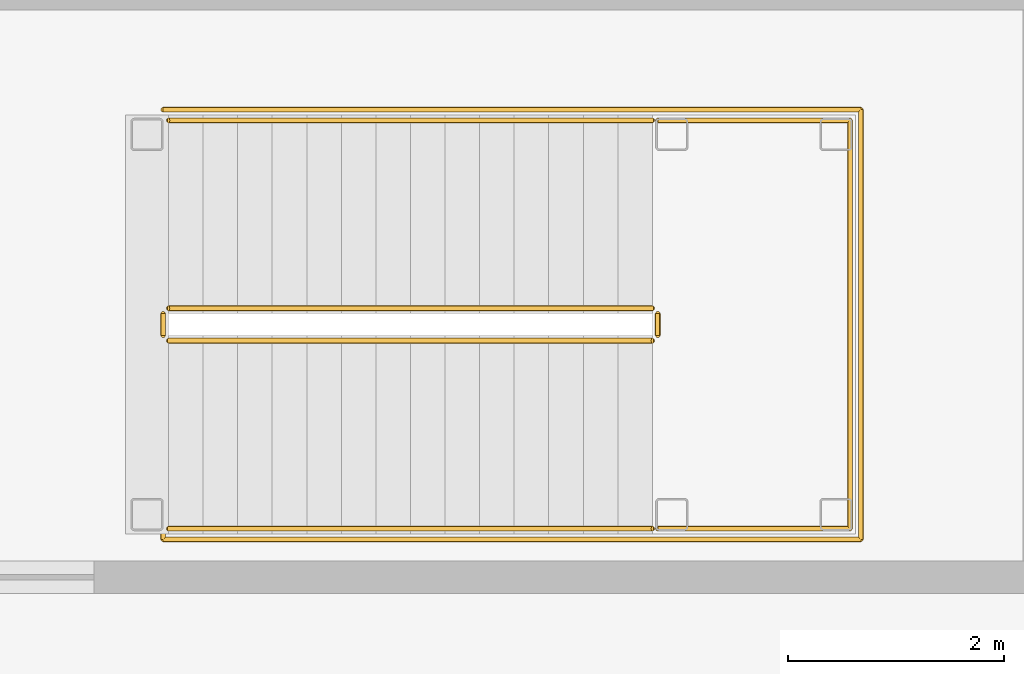
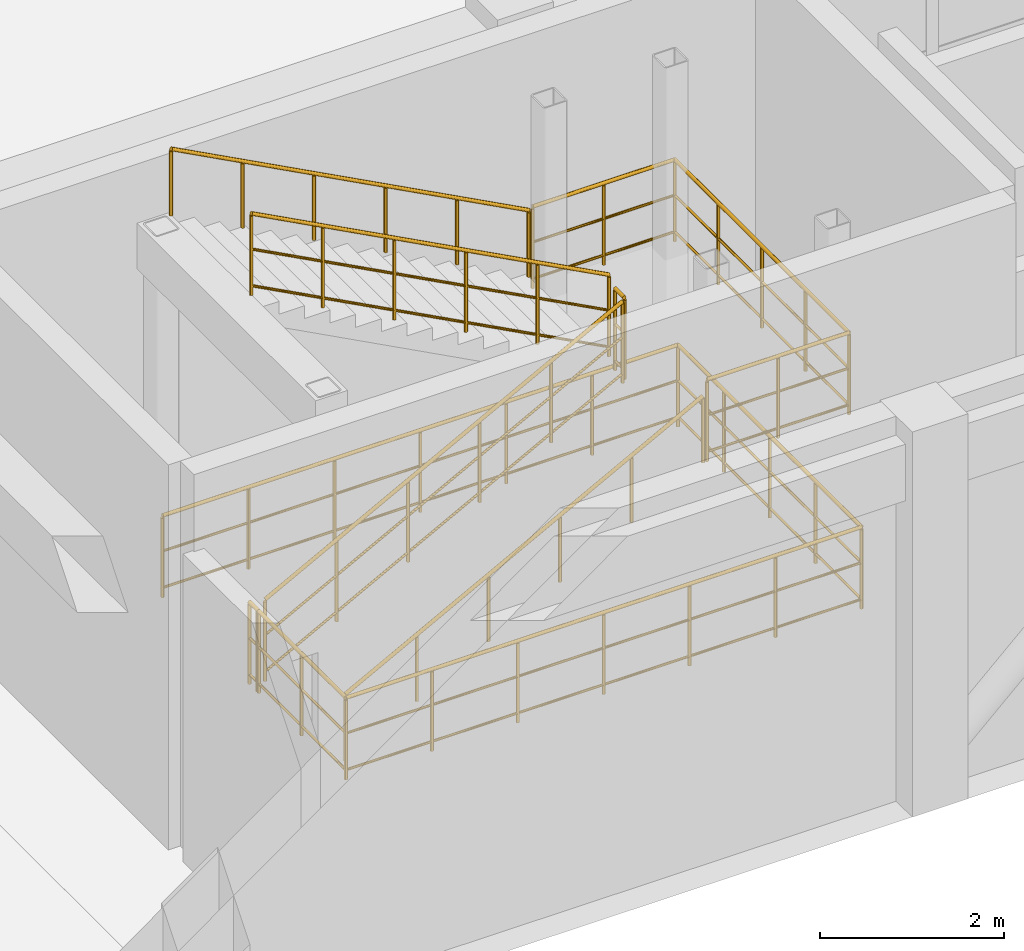
# One storey, part 119 of 128: 8 railings.
"""IFC4 building model written with IfcOpenShell, lengths in metres."""

from ifc_helpers import new_model, si_unit, direction, frame, origin, origin_2d, place, context, subcontext, project, spatial, circle, extrude, material, type_object, element, save


model = new_model("IFC4")

# Units and contexts
model_context = context("Model", 3, precision=1e-05, world=origin(), true_north=direction((0.0, 1.0)))
body_context = subcontext(model_context, "Body", "Model", "MODEL_VIEW")
ifc_project = project(units=[si_unit("LENGTHUNIT", "METRE"), si_unit("AREAUNIT", "SQUARE_METRE"), si_unit("VOLUMEUNIT", "CUBIC_METRE"), si_unit("PLANEANGLEUNIT", "RADIAN"), si_unit("MASSUNIT", "GRAM", prefix="KILO")], contexts=[model_context])

# Site, building, storey
site_placement = place(None, origin())
site = spatial("IfcSite", under=ifc_project, at=site_placement, CompositionType="ELEMENT")
building_placement = place(site_placement, origin())
building = spatial("IfcBuilding", under=site, at=building_placement, Name="Miravela Opera House", CompositionType="ELEMENT")
storey_placement = place(building_placement, origin())
storey = spatial("IfcBuildingStorey", under=building, at=storey_placement, Name="L00", CompositionType="ELEMENT", Elevation=0.0)

# Railings
ifc_material_1 = material(Name="Brushed bronze continuous stair handrail")
railing_type_1 = type_object("IfcRailingType", Name="ARC-RAIL-HAND-900", PredefinedType="HANDRAIL", material=ifc_material_1)
railing_1_placement = place(storey_placement, frame((120.739990234375, 3.449951171875, 0.169921875)))
element("IfcRailing", 1, at=railing_1_placement, inside=storey, type_object=railing_type_1, Name="L00 ST-10 stair handrail 1", PredefinedType="HANDRAIL", context=body_context, shape_type="SweptSolid", body=[
    extrude(circle(Radius=0.02392578125, at=origin_2d()), frame((0.0, 0.0, 0.8759765625), z_axis=(0.883104503341, 0.0, 0.469176338042), x_axis=(0.0, 1.0, 0.0)), (0.0, 0.0, 1.0), 5.072998046875),
    extrude(circle(Radius=0.02099609375, at=origin_2d()), origin(), (0.0, 0.0, 1.0), 0.851806640625),
    extrude(circle(Radius=0.02099609375, at=origin_2d()), frame((0.89599609375, 0.0, 0.47607421875)), (0.0, 0.0, 1.0), 0.851806640625),
    extrude(circle(Radius=0.02099609375, at=origin_2d()), frame((1.7919921875, 0.0, 0.9521484375)), (0.0, 0.0, 1.0), 0.851806640625),
    extrude(circle(Radius=0.02099609375, at=origin_2d()), frame((2.68798828125, 0.0, 1.427978515625)), (0.0, 0.0, 1.0), 0.851806640625),
    extrude(circle(Radius=0.02099609375, at=origin_2d()), frame((3.583984375, 0.0, 1.904052734375)), (0.0, 0.0, 1.0), 0.851806640625),
    extrude(circle(Radius=0.02099609375, at=origin_2d()), frame((4.47998046875, 0.0, 2.380126953125)), (0.0, 0.0, 1.0), 0.851806640625),
])
railing_2_placement = place(storey_placement, frame((125.219970703125, 7.22998046875, 2.719970703125)))
element("IfcRailing", 2, at=railing_2_placement, inside=storey, type_object=railing_type_1, Name="L00 ST-10 stair handrail 2", PredefinedType="HANDRAIL", context=body_context, shape_type="SweptSolid", body=[
    extrude(circle(Radius=0.02392578125, at=origin_2d()), frame((0.0, 0.0, 0.8759765625), z_axis=(-0.883104503341, 0.0, 0.469176338042), x_axis=(0.0, -1.0, 0.0)), (0.0, 0.0, 1.0), 5.072998046875),
    extrude(circle(Radius=0.02099609375, at=origin_2d()), origin(), (0.0, 0.0, 1.0), 0.851806640625),
    extrude(circle(Radius=0.02099609375, at=origin_2d()), frame((-0.89599609375, 0.0, 0.47607421875)), (0.0, 0.0, 1.0), 0.851806640625),
    extrude(circle(Radius=0.02099609375, at=origin_2d()), frame((-1.7919921875, 0.0, 0.9521484375)), (0.0, 0.0, 1.0), 0.851806640625),
    extrude(circle(Radius=0.02099609375, at=origin_2d()), frame((-2.68798828125, 0.0, 1.427978515625)), (0.0, 0.0, 1.0), 0.851806640625),
    extrude(circle(Radius=0.02099609375, at=origin_2d()), frame((-3.583984375, 0.0, 1.904052734375)), (0.0, 0.0, 1.0), 0.851806640625),
    extrude(circle(Radius=0.02099609375, at=origin_2d()), frame((-4.47998046875, 0.0, 2.380126953125)), (0.0, 0.0, 1.0), 0.851806640625),
])
ifc_material_2 = material(Name="Painted wrought-iron stair guardrail")
railing_type_2 = type_object("IfcRailingType", Name="ARC-RAIL-STAIR-GUARD", PredefinedType="GUARDRAIL", material=ifc_material_2)
railing_3_placement = place(storey_placement, frame((120.739990234375, 5.18994140625, 0.169921875)))
element("IfcRailing", 3, at=railing_3_placement, inside=storey, type_object=railing_type_2, Name="L00 ST-10 stair guard 1", PredefinedType="GUARDRAIL", context=body_context, shape_type="SweptSolid", body=[
    extrude(circle(Radius=0.02392578125, at=origin_2d()), frame((0.0, 0.0, 1.076171875), z_axis=(0.883104503341, 0.0, 0.469176338042), x_axis=(0.0, 1.0, 0.0)), (0.0, 0.0, 1.0), 5.072998046875),
    extrude(circle(Radius=0.01611328125, at=origin_2d()), frame((0.0, 0.0, 0.60498046875), z_axis=(0.883104503341, 0.0, 0.469176338042), x_axis=(0.0, 1.0, 0.0)), (0.0, 0.0, 1.0), 5.072998046875),
    extrude(circle(Radius=0.01611328125, at=origin_2d()), frame((0.0, 0.0, 0.1201171875), z_axis=(0.883104503341, 0.0, 0.469176338042), x_axis=(0.0, 1.0, 0.0)), (0.0, 0.0, 1.0), 5.072998046875),
    extrude(circle(Radius=0.02099609375, at=origin_2d()), origin(), (0.0, 0.0, 1.0), 1.052001953125),
    extrude(circle(Radius=0.02099609375, at=origin_2d()), frame((0.89599609375, 0.0, 0.47607421875)), (0.0, 0.0, 1.0), 1.052001953125),
    extrude(circle(Radius=0.02099609375, at=origin_2d()), frame((1.7919921875, 0.0, 0.9521484375)), (0.0, 0.0, 1.0), 1.052001953125),
    extrude(circle(Radius=0.02099609375, at=origin_2d()), frame((2.68798828125, 0.0, 1.427978515625)), (0.0, 0.0, 1.0), 1.052001953125),
    extrude(circle(Radius=0.02099609375, at=origin_2d()), frame((3.583984375, 0.0, 1.904052734375)), (0.0, 0.0, 1.0), 1.052001953125),
    extrude(circle(Radius=0.02099609375, at=origin_2d()), frame((4.47998046875, 0.0, 2.380126953125)), (0.0, 0.0, 1.0), 1.052001953125),
])
railing_4_placement = place(storey_placement, frame((125.27001953125, 5.239990234375, 2.550048828125)))
element("IfcRailing", 4, at=railing_4_placement, inside=storey, type_object=railing_type_2, Name="L00 ST-10 stair guard 2", PredefinedType="GUARDRAIL", context=body_context, shape_type="SweptSolid", body=[
    extrude(circle(Radius=0.02392578125, at=origin_2d()), frame((0.0, 0.0, 1.076171875), z_axis=(0.0, 1.0, 0.0), x_axis=(-1.0, 0.0, 0.0)), (0.0, 0.0, 1.0), 0.199951171875),
    extrude(circle(Radius=0.01611328125, at=origin_2d()), frame((0.0, 0.0, 0.60498046875), z_axis=(0.0, 1.0, 0.0), x_axis=(-1.0, 0.0, 0.0)), (0.0, 0.0, 1.0), 0.199951171875),
    extrude(circle(Radius=0.01611328125, at=origin_2d()), frame((0.0, 0.0, 0.1201171875), z_axis=(0.0, 1.0, 0.0), x_axis=(-1.0, 0.0, 0.0)), (0.0, 0.0, 1.0), 0.199951171875),
    extrude(circle(Radius=0.02099609375, at=origin_2d()), origin(), (0.0, 0.0, 1.0), 1.052001953125),
    extrude(circle(Radius=0.02099609375, at=origin_2d()), frame((0.0, 0.199951171875, 0.0)), (0.0, 0.0, 1.0), 1.052001953125),
])
railing_5_placement = place(storey_placement, frame((125.219970703125, 5.489990234375, 2.719970703125)))
element("IfcRailing", 5, at=railing_5_placement, inside=storey, type_object=railing_type_2, Name="L00 ST-10 stair guard 3", PredefinedType="GUARDRAIL", context=body_context, shape_type="SweptSolid", body=[
    extrude(circle(Radius=0.02392578125, at=origin_2d()), frame((0.0, 0.0, 1.076171875), z_axis=(-0.883104503341, 0.0, 0.469176338042), x_axis=(0.0, -1.0, 0.0)), (0.0, 0.0, 1.0), 5.072998046875),
    extrude(circle(Radius=0.01611328125, at=origin_2d()), frame((0.0, 0.0, 0.60498046875), z_axis=(-0.883104503341, 0.0, 0.469176338042), x_axis=(0.0, -1.0, 0.0)), (0.0, 0.0, 1.0), 5.072998046875),
    extrude(circle(Radius=0.01611328125, at=origin_2d()), frame((0.0, 0.0, 0.1201171875), z_axis=(-0.883104503341, 0.0, 0.469176338042), x_axis=(0.0, -1.0, 0.0)), (0.0, 0.0, 1.0), 5.072998046875),
    extrude(circle(Radius=0.02099609375, at=origin_2d()), origin(), (0.0, 0.0, 1.0), 1.052001953125),
    extrude(circle(Radius=0.02099609375, at=origin_2d()), frame((-0.89599609375, 0.0, 0.47607421875)), (0.0, 0.0, 1.0), 1.052001953125),
    extrude(circle(Radius=0.02099609375, at=origin_2d()), frame((-1.7919921875, 0.0, 0.9521484375)), (0.0, 0.0, 1.0), 1.052001953125),
    extrude(circle(Radius=0.02099609375, at=origin_2d()), frame((-2.68798828125, 0.0, 1.427978515625)), (0.0, 0.0, 1.0), 1.052001953125),
    extrude(circle(Radius=0.02099609375, at=origin_2d()), frame((-3.583984375, 0.0, 1.904052734375)), (0.0, 0.0, 1.0), 1.052001953125),
    extrude(circle(Radius=0.02099609375, at=origin_2d()), frame((-4.47998046875, 0.0, 2.380126953125)), (0.0, 0.0, 1.0), 1.052001953125),
])
railing_6_placement = place(storey_placement, frame((120.68994140625, 5.239990234375, 0.0)))
element("IfcRailing", 6, at=railing_6_placement, inside=storey, type_object=railing_type_2, Name="L00 ST-10 stair guard 4", PredefinedType="GUARDRAIL", context=body_context, shape_type="SweptSolid", body=[
    extrude(circle(Radius=0.02392578125, at=origin_2d()), frame((0.0, 0.0, 1.076171875), z_axis=(0.0, 1.0, 0.0), x_axis=(-1.0, 0.0, 0.0)), (0.0, 0.0, 1.0), 0.199951171875),
    extrude(circle(Radius=0.01611328125, at=origin_2d()), frame((0.0, 0.0, 0.60498046875), z_axis=(0.0, 1.0, 0.0), x_axis=(-1.0, 0.0, 0.0)), (0.0, 0.0, 1.0), 0.199951171875),
    extrude(circle(Radius=0.01611328125, at=origin_2d()), frame((0.0, 0.0, 0.1201171875), z_axis=(0.0, 1.0, 0.0), x_axis=(-1.0, 0.0, 0.0)), (0.0, 0.0, 1.0), 0.199951171875),
    extrude(circle(Radius=0.02099609375, at=origin_2d()), origin(), (0.0, 0.0, 1.0), 1.052001953125),
    extrude(circle(Radius=0.02099609375, at=origin_2d()), frame((0.0, 0.199951171875, 0.0)), (0.0, 0.0, 1.0), 1.052001953125),
])
railing_7_placement = place(storey_placement, frame((125.27001953125, 3.449951171875, 2.550048828125)))
element("IfcRailing", 7, at=railing_7_placement, inside=storey, type_object=railing_type_2, Name="Stair ST-10 Half-Landing Perimeter Guard (L00) 0088", PredefinedType="GUARDRAIL", context=body_context, shape_type="SweptSolid", body=[
    extrude(circle(Radius=0.02392578125, at=origin_2d()), frame((0.0, 0.0, 1.076171875), z_axis=(1.0, 0.0, 0.0), x_axis=(0.0, 1.0, 0.0)), (0.0, 0.0, 1.0), 1.780029296875),
    extrude(circle(Radius=0.01611328125, at=origin_2d()), frame((0.0, 0.0, 0.60498046875), z_axis=(1.0, 0.0, 0.0), x_axis=(0.0, 1.0, 0.0)), (0.0, 0.0, 1.0), 1.780029296875),
    extrude(circle(Radius=0.01611328125, at=origin_2d()), frame((0.0, 0.0, 0.1201171875), z_axis=(1.0, 0.0, 0.0), x_axis=(0.0, 1.0, 0.0)), (0.0, 0.0, 1.0), 1.780029296875),
    extrude(circle(Radius=0.02392578125, at=origin_2d()), frame((1.780029296875, 0.0, 1.076171875), z_axis=(0.0, 1.0, 0.0), x_axis=(-1.0, 0.0, 0.0)), (0.0, 0.0, 1.0), 3.780029296875),
    extrude(circle(Radius=0.01611328125, at=origin_2d()), frame((1.780029296875, 0.0, 0.60498046875), z_axis=(0.0, 1.0, 0.0), x_axis=(-1.0, 0.0, 0.0)), (0.0, 0.0, 1.0), 3.780029296875),
    extrude(circle(Radius=0.01611328125, at=origin_2d()), frame((1.780029296875, 0.0, 0.1201171875), z_axis=(0.0, 1.0, 0.0), x_axis=(-1.0, 0.0, 0.0)), (0.0, 0.0, 1.0), 3.780029296875),
    extrude(circle(Radius=0.02392578125, at=origin_2d()), frame((1.780029296875, 3.780029296875, 1.076171875), z_axis=(-1.0, 0.0, 0.0), x_axis=(0.0, -1.0, 0.0)), (0.0, 0.0, 1.0), 1.780029296875),
    extrude(circle(Radius=0.01611328125, at=origin_2d()), frame((1.780029296875, 3.780029296875, 0.60498046875), z_axis=(-1.0, 0.0, 0.0), x_axis=(0.0, -1.0, 0.0)), (0.0, 0.0, 1.0), 1.780029296875),
    extrude(circle(Radius=0.01611328125, at=origin_2d()), frame((1.780029296875, 3.780029296875, 0.1201171875), z_axis=(-1.0, 0.0, 0.0), x_axis=(0.0, -1.0, 0.0)), (0.0, 0.0, 1.0), 1.780029296875),
    extrude(circle(Radius=0.02099609375, at=origin_2d()), origin(), (0.0, 0.0, 1.0), 1.052001953125),
    extrude(circle(Radius=0.02099609375, at=origin_2d()), frame((0.89013671875, 0.0, 0.0)), (0.0, 0.0, 1.0), 1.052001953125),
    extrude(circle(Radius=0.02099609375, at=origin_2d()), frame((1.780029296875, 0.0, 0.0)), (0.0, 0.0, 1.0), 1.052001953125),
    extrude(circle(Radius=0.02099609375, at=origin_2d()), frame((1.780029296875, 0.945068359375, 0.0)), (0.0, 0.0, 1.0), 1.052001953125),
    extrude(circle(Radius=0.02099609375, at=origin_2d()), frame((1.780029296875, 1.89013671875, 0.0)), (0.0, 0.0, 1.0), 1.052001953125),
    extrude(circle(Radius=0.02099609375, at=origin_2d()), frame((1.780029296875, 2.8349609375, 0.0)), (0.0, 0.0, 1.0), 1.052001953125),
    extrude(circle(Radius=0.02099609375, at=origin_2d()), frame((1.780029296875, 3.780029296875, 0.0)), (0.0, 0.0, 1.0), 1.052001953125),
    extrude(circle(Radius=0.02099609375, at=origin_2d()), frame((0.89013671875, 3.780029296875, 0.0)), (0.0, 0.0, 1.0), 1.052001953125),
    extrude(circle(Radius=0.02099609375, at=origin_2d()), frame((0.0, 3.780029296875, 0.0)), (0.0, 0.0, 1.0), 1.052001953125),
])
railing_8_placement = place(storey_placement, frame((120.68994140625, 5.27001953125, 0.0)))
element("IfcRailing", 8, at=railing_8_placement, inside=storey, type_object=railing_type_2, Name="Stair ST-10 Well Slab Opening Guard (L00) 0090", PredefinedType="GUARDRAIL", context=body_context, shape_type="SweptSolid", body=[
    extrude(circle(Radius=0.02392578125, at=origin_2d()), frame((0.0, 0.0, 1.076171875), z_axis=(0.0, -1.0, 0.0), x_axis=(1.0, 0.0, 0.0)), (0.0, 0.0, 1.0), 1.919921875),
    extrude(circle(Radius=0.01611328125, at=origin_2d()), frame((0.0, 0.0, 0.60498046875), z_axis=(0.0, -1.0, 0.0), x_axis=(1.0, 0.0, 0.0)), (0.0, 0.0, 1.0), 1.919921875),
    extrude(circle(Radius=0.01611328125, at=origin_2d()), frame((0.0, 0.0, 0.1201171875), z_axis=(0.0, -1.0, 0.0), x_axis=(1.0, 0.0, 0.0)), (0.0, 0.0, 1.0), 1.919921875),
    extrude(circle(Radius=0.02392578125, at=origin_2d()), frame((0.0, -1.919921875, 1.076171875), z_axis=(1.0, 0.0, 0.0), x_axis=(0.0, 1.0, 0.0)), (0.0, 0.0, 1.0), 6.4599609375),
    extrude(circle(Radius=0.01611328125, at=origin_2d()), frame((0.0, -1.919921875, 0.60498046875), z_axis=(1.0, 0.0, 0.0), x_axis=(0.0, 1.0, 0.0)), (0.0, 0.0, 1.0), 6.4599609375),
    extrude(circle(Radius=0.01611328125, at=origin_2d()), frame((0.0, -1.919921875, 0.1201171875), z_axis=(1.0, 0.0, 0.0), x_axis=(0.0, 1.0, 0.0)), (0.0, 0.0, 1.0), 6.4599609375),
    extrude(circle(Radius=0.02392578125, at=origin_2d()), frame((6.4599609375, -1.919921875, 1.076171875), z_axis=(0.0, 1.0, 0.0), x_axis=(-1.0, 0.0, 0.0)), (0.0, 0.0, 1.0), 3.97998046875),
    extrude(circle(Radius=0.01611328125, at=origin_2d()), frame((6.4599609375, -1.919921875, 0.60498046875), z_axis=(0.0, 1.0, 0.0), x_axis=(-1.0, 0.0, 0.0)), (0.0, 0.0, 1.0), 3.97998046875),
    extrude(circle(Radius=0.01611328125, at=origin_2d()), frame((6.4599609375, -1.919921875, 0.1201171875), z_axis=(0.0, 1.0, 0.0), x_axis=(-1.0, 0.0, 0.0)), (0.0, 0.0, 1.0), 3.97998046875),
    extrude(circle(Radius=0.02392578125, at=origin_2d()), frame((6.4599609375, 2.06005859375, 1.076171875), z_axis=(-1.0, 0.0, 0.0), x_axis=(0.0, -1.0, 0.0)), (0.0, 0.0, 1.0), 6.4599609375),
    extrude(circle(Radius=0.01611328125, at=origin_2d()), frame((6.4599609375, 2.06005859375, 0.60498046875), z_axis=(-1.0, 0.0, 0.0), x_axis=(0.0, -1.0, 0.0)), (0.0, 0.0, 1.0), 6.4599609375),
    extrude(circle(Radius=0.01611328125, at=origin_2d()), frame((6.4599609375, 2.06005859375, 0.1201171875), z_axis=(-1.0, 0.0, 0.0), x_axis=(0.0, -1.0, 0.0)), (0.0, 0.0, 1.0), 6.4599609375),
    extrude(circle(Radius=0.02099609375, at=origin_2d()), origin(), (0.0, 0.0, 1.0), 1.052001953125),
    extrude(circle(Radius=0.02099609375, at=origin_2d()), frame((0.0, -0.9599609375, 0.0)), (0.0, 0.0, 1.0), 1.052001953125),
    extrude(circle(Radius=0.02099609375, at=origin_2d()), frame((0.0, -1.919921875, 0.0)), (0.0, 0.0, 1.0), 1.052001953125),
    extrude(circle(Radius=0.02099609375, at=origin_2d()), frame((1.07666015625, -1.919921875, 0.0)), (0.0, 0.0, 1.0), 1.052001953125),
    extrude(circle(Radius=0.02099609375, at=origin_2d()), frame((2.1533203125, -1.919921875, 0.0)), (0.0, 0.0, 1.0), 1.052001953125),
    extrude(circle(Radius=0.02099609375, at=origin_2d()), frame((3.22998046875, -1.919921875, 0.0)), (0.0, 0.0, 1.0), 1.052001953125),
    extrude(circle(Radius=0.02099609375, at=origin_2d()), frame((4.306640625, -1.919921875, 0.0)), (0.0, 0.0, 1.0), 1.052001953125),
    extrude(circle(Radius=0.02099609375, at=origin_2d()), frame((5.38330078125, -1.919921875, 0.0)), (0.0, 0.0, 1.0), 1.052001953125),
    extrude(circle(Radius=0.02099609375, at=origin_2d()), frame((6.4599609375, -1.919921875, 0.0)), (0.0, 0.0, 1.0), 1.052001953125),
    extrude(circle(Radius=0.02099609375, at=origin_2d()), frame((6.4599609375, -0.9248046875, 0.0)), (0.0, 0.0, 1.0), 1.052001953125),
    extrude(circle(Radius=0.02099609375, at=origin_2d()), frame((6.4599609375, 0.070068359375, 0.0)), (0.0, 0.0, 1.0), 1.052001953125),
    extrude(circle(Radius=0.02099609375, at=origin_2d()), frame((6.4599609375, 1.06494140625, 0.0)), (0.0, 0.0, 1.0), 1.052001953125),
    extrude(circle(Radius=0.02099609375, at=origin_2d()), frame((6.4599609375, 2.06005859375, 0.0)), (0.0, 0.0, 1.0), 1.052001953125),
    extrude(circle(Radius=0.02099609375, at=origin_2d()), frame((5.38330078125, 2.06005859375, 0.0)), (0.0, 0.0, 1.0), 1.052001953125),
    extrude(circle(Radius=0.02099609375, at=origin_2d()), frame((4.306640625, 2.06005859375, 0.0)), (0.0, 0.0, 1.0), 1.052001953125),
    extrude(circle(Radius=0.02099609375, at=origin_2d()), frame((3.22998046875, 2.06005859375, 0.0)), (0.0, 0.0, 1.0), 1.052001953125),
    extrude(circle(Radius=0.02099609375, at=origin_2d()), frame((2.1533203125, 2.06005859375, 0.0)), (0.0, 0.0, 1.0), 1.052001953125),
    extrude(circle(Radius=0.02099609375, at=origin_2d()), frame((1.07666015625, 2.06005859375, 0.0)), (0.0, 0.0, 1.0), 1.052001953125),
    extrude(circle(Radius=0.02099609375, at=origin_2d()), frame((0.0, 2.06005859375, 0.0)), (0.0, 0.0, 1.0), 1.052001953125),
])

save(model, "model.ifc")
